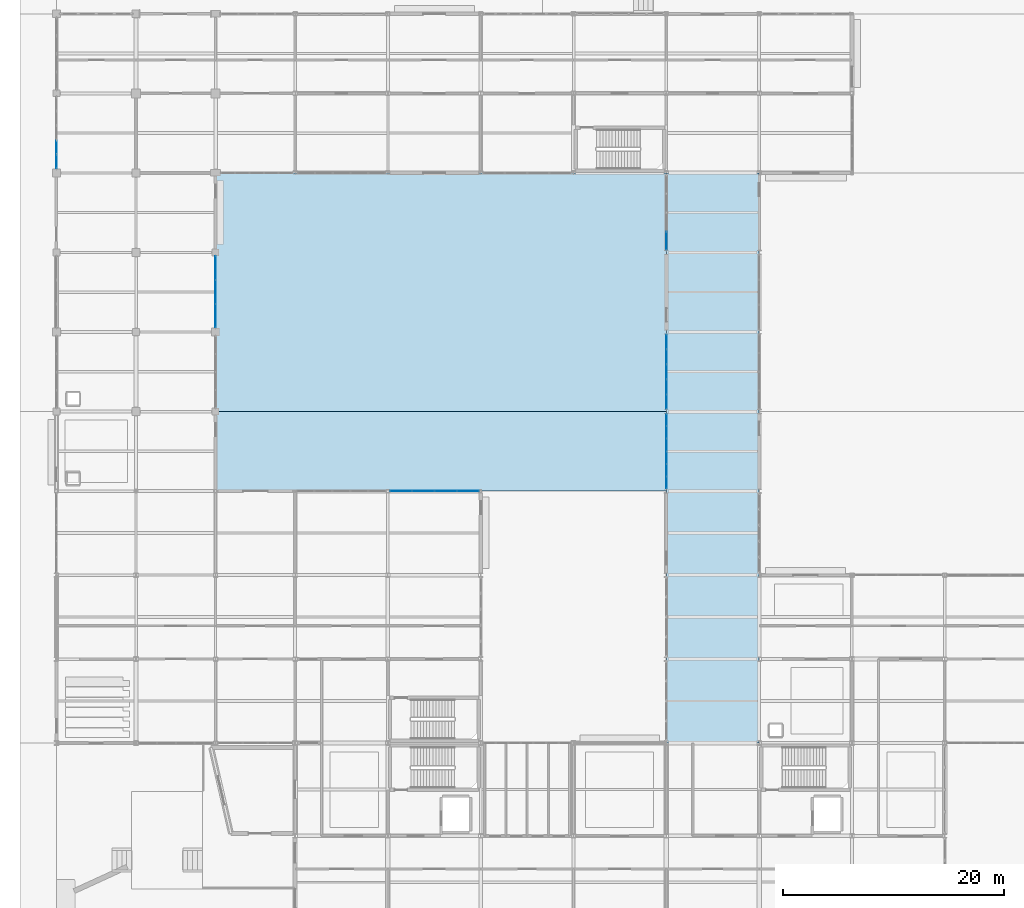
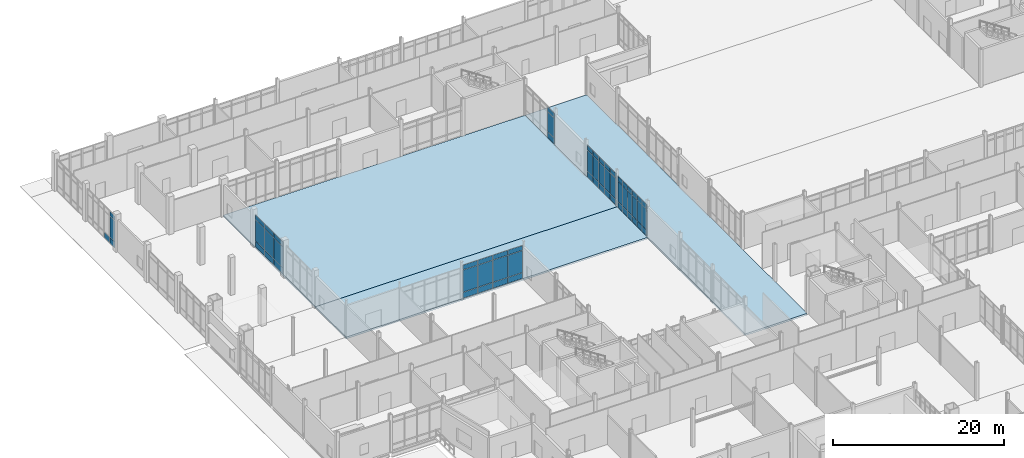
# One storey, part 147 of 229: 61 plates, 3 slabs, 6 elements without a shape of their own.
"""IFC4 building model written with IfcOpenShell, lengths in metres."""

from ifc_helpers import new_model, si_unit, direction, frame, origin, origin_2d, place, context, subcontext, project, spatial, polyline, rectangle, outline, extrude, material, layer, layer_set, type_object, element, aggregate, save


model = new_model("IFC4")

# Units and contexts
model_context = context("Model", 3, precision=1e-05, world=origin(), true_north=direction((0.0, 1.0)))
body_context = subcontext(model_context, "Body", "Model", "MODEL_VIEW")
ifc_project = project(units=[si_unit("LENGTHUNIT", "METRE"), si_unit("AREAUNIT", "SQUARE_METRE"), si_unit("VOLUMEUNIT", "CUBIC_METRE"), si_unit("PLANEANGLEUNIT", "RADIAN"), si_unit("MASSUNIT", "GRAM", prefix="KILO")], contexts=[model_context])

# Site, building, storey
site_placement = place(None, origin())
site = spatial("IfcSite", under=ifc_project, at=site_placement, CompositionType="ELEMENT")
building_placement = place(site_placement, origin())
building = spatial("IfcBuilding", under=site, at=building_placement, Name="Calvrana Isthmian Art Gallery", CompositionType="ELEMENT")
storey_placement = place(building_placement, origin())
storey = spatial("IfcBuildingStorey", under=building, at=storey_placement, Name="L00", CompositionType="ELEMENT", Elevation=0.0)

# Curtain wall, plates
ifc_material_1 = material(Name="Anodized bronze aluminium 6063-T6", Category="aluminium")
ifc_layer_1 = layer(ifc_material_1, 0.179931640625, Name="Anodized bronze aluminium 6063-T6")
ifc_layer_set_1 = layer_set([ifc_layer_1], Name="Anodized bronze aluminium 6063-T6")
curtain_wall_type_1 = type_object("IfcCurtainWallType", Name="CW-STICK-066X47", PredefinedType="NOTDEFINED", material=ifc_layer_set_1)
curtain_wall_1_placement = place(storey_placement, origin())
curtain_wall_1 = element("IfcCurtainWall", 1, at=curtain_wall_1_placement, inside=storey, type_object=curtain_wall_type_1, Name="Curtain wall CW-055", PredefinedType="NOTDEFINED")
ifc_material_2 = material(Name="Polychrome glazed terracotta", Category="masonry")
ifc_layer_2 = layer(ifc_material_2, 0.033935546875, Name="Polychrome glazed terracotta")
ifc_layer_set_2 = layer_set([ifc_layer_2], Name="Polychrome glazed terracotta")
plate_type_1 = type_object("IfcPlateType", Name="CWP-SPANDREL-34", PredefinedType="CURTAIN_PANEL", material=ifc_layer_set_2)
plate_1_placement = place(storey_placement, frame((14.39990234375, 89.793212890625, 0.06005859375), z_axis=(0.0, 0.0, 1.0), x_axis=(0.0, -1.0, 0.0)))
plate_1 = element("IfcPlate", 2, at=plate_1_placement, type_object=plate_type_1, Name="CW-055 panel 1.1", PredefinedType="CURTAIN_PANEL", context=body_context, shape_type="SweptSolid", body=[
    extrude(rectangle(XDim=2.09326171875, YDim=0.033935546875, at=origin_2d()), origin(), (0.0, 0.0, 1.0), 0.81005859375),
])
plate_2_placement = place(storey_placement, frame((14.39990234375, 89.793212890625, 0.93017578125), z_axis=(0.0, 0.0, 1.0), x_axis=(0.0, -1.0, 0.0)))
plate_2 = element("IfcPlate", 3, at=plate_2_placement, type_object=plate_type_1, Name="CW-055 panel 1.2", PredefinedType="CURTAIN_PANEL", context=body_context, shape_type="SweptSolid", body=[
    extrude(rectangle(XDim=2.09326171875, YDim=0.033935546875, at=origin_2d()), origin(), (0.0, 0.0, 1.0), 2.968017578125),
])
plate_3_placement = place(storey_placement, frame((14.39990234375, 89.793212890625, 3.9580078125), z_axis=(0.0, 0.0, 1.0), x_axis=(0.0, -1.0, 0.0)))
plate_3 = element("IfcPlate", 4, at=plate_3_placement, type_object=plate_type_1, Name="CW-055 panel 1.3", PredefinedType="CURTAIN_PANEL", context=body_context, shape_type="SweptSolid", body=[
    extrude(rectangle(XDim=2.09326171875, YDim=0.033935546875, at=origin_2d()), origin(), (0.0, 0.0, 1.0), 0.659912109375),
])
plate_4_placement = place(storey_placement, frame((14.39990234375, 87.625, 0.06005859375), z_axis=(0.0, 0.0, 1.0), x_axis=(0.0, -1.0, 0.0)))
plate_4 = element("IfcPlate", 5, at=plate_4_placement, type_object=plate_type_1, Name="CW-055 panel 2.1", PredefinedType="CURTAIN_PANEL", context=body_context, shape_type="SweptSolid", body=[
    extrude(rectangle(XDim=2.123291015625, YDim=0.033935546875, at=origin_2d()), origin(), (0.0, 0.0, 1.0), 0.81005859375),
])
plate_5_placement = place(storey_placement, frame((14.39990234375, 87.625, 0.93017578125), z_axis=(0.0, 0.0, 1.0), x_axis=(0.0, -1.0, 0.0)))
plate_5 = element("IfcPlate", 6, at=plate_5_placement, type_object=plate_type_1, Name="CW-055 panel 2.2", PredefinedType="CURTAIN_PANEL", context=body_context, shape_type="SweptSolid", body=[
    extrude(rectangle(XDim=2.123291015625, YDim=0.033935546875, at=origin_2d()), origin(), (0.0, 0.0, 1.0), 2.968017578125),
])
plate_6_placement = place(storey_placement, frame((14.39990234375, 87.625, 3.9580078125), z_axis=(0.0, 0.0, 1.0), x_axis=(0.0, -1.0, 0.0)))
plate_6 = element("IfcPlate", 7, at=plate_6_placement, type_object=plate_type_1, Name="CW-055 panel 2.3", PredefinedType="CURTAIN_PANEL", context=body_context, shape_type="SweptSolid", body=[
    extrude(rectangle(XDim=2.123291015625, YDim=0.033935546875, at=origin_2d()), origin(), (0.0, 0.0, 1.0), 0.659912109375),
])
plate_7_placement = place(storey_placement, frame((14.39990234375, 85.456787109375, 0.06005859375), z_axis=(0.0, 0.0, 1.0), x_axis=(0.0, -1.0, 0.0)))
plate_7 = element("IfcPlate", 8, at=plate_7_placement, type_object=plate_type_1, Name="CW-055 panel 3.1", PredefinedType="CURTAIN_PANEL", context=body_context, shape_type="SweptSolid", body=[
    extrude(rectangle(XDim=2.09326171875, YDim=0.033935546875, at=origin_2d()), origin(), (0.0, 0.0, 1.0), 0.81005859375),
])
plate_8_placement = place(storey_placement, frame((14.39990234375, 85.456787109375, 0.93017578125), z_axis=(0.0, 0.0, 1.0), x_axis=(0.0, -1.0, 0.0)))
plate_8 = element("IfcPlate", 9, at=plate_8_placement, type_object=plate_type_1, Name="CW-055 panel 3.2", PredefinedType="CURTAIN_PANEL", context=body_context, shape_type="SweptSolid", body=[
    extrude(rectangle(XDim=2.09326171875, YDim=0.033935546875, at=origin_2d()), origin(), (0.0, 0.0, 1.0), 2.968017578125),
])
plate_9_placement = place(storey_placement, frame((14.39990234375, 85.456787109375, 3.9580078125), z_axis=(0.0, 0.0, 1.0), x_axis=(0.0, -1.0, 0.0)))
plate_9 = element("IfcPlate", 10, at=plate_9_placement, type_object=plate_type_1, Name="CW-055 panel 3.3", PredefinedType="CURTAIN_PANEL", context=body_context, shape_type="SweptSolid", body=[
    extrude(rectangle(XDim=2.09326171875, YDim=0.033935546875, at=origin_2d()), origin(), (0.0, 0.0, 1.0), 0.659912109375),
])
aggregate(curtain_wall_1, [plate_1, plate_2, plate_3, plate_4, plate_5, plate_6, plate_7, plate_8, plate_9])

ifc_layer_3 = layer(ifc_material_1, 0.179931640625, Name="Anodized bronze aluminium 6063-T6")
ifc_layer_set_3 = layer_set([ifc_layer_3], Name="Anodized bronze aluminium 6063-T6")
curtain_wall_type_2 = type_object("IfcCurtainWallType", Name="CW-UNIT-068X46", PredefinedType="USERDEFINED", material=ifc_layer_set_3)
curtain_wall_2_placement = place(storey_placement, origin())
curtain_wall_2 = element("IfcCurtainWall", 11, at=curtain_wall_2_placement, inside=storey, type_object=curtain_wall_type_2, Name="Curtain wall CW-060", ObjectType="UNITISED CURTAIN WALL", PredefinedType="USERDEFINED")
plate_10_placement = place(storey_placement, frame((55.199951171875, 70.37109375, 0.06005859375), z_axis=(0.0, 0.0, 1.0), x_axis=(0.0, 1.0, 0.0)))
plate_10 = element("IfcPlate", 12, at=plate_10_placement, type_object=plate_type_1, Name="CW-060 panel 1.1", PredefinedType="CURTAIN_PANEL", context=body_context, shape_type="SweptSolid", body=[
    extrude(rectangle(XDim=1.04931640625, YDim=0.033935546875, at=origin_2d()), origin(), (0.0, 0.0, 1.0), 0.81005859375),
])
plate_11_placement = place(storey_placement, frame((55.199951171875, 70.37109375, 0.929931640625), z_axis=(0.0, 0.0, 1.0), x_axis=(0.0, 1.0, 0.0)))
plate_11 = element("IfcPlate", 13, at=plate_11_placement, type_object=plate_type_1, Name="CW-060 panel 1.2", PredefinedType="CURTAIN_PANEL", context=body_context, shape_type="SweptSolid", body=[
    extrude(rectangle(XDim=1.04931640625, YDim=0.033935546875, at=origin_2d()), origin(), (0.0, 0.0, 1.0), 2.89697265625),
])
plate_12_placement = place(storey_placement, frame((55.199951171875, 70.37109375, 3.88720703125), z_axis=(0.0, 0.0, 1.0), x_axis=(0.0, 1.0, 0.0)))
plate_12 = element("IfcPlate", 14, at=plate_12_placement, type_object=plate_type_1, Name="CW-060 panel 1.3", PredefinedType="CURTAIN_PANEL", context=body_context, shape_type="SweptSolid", body=[
    extrude(rectangle(XDim=1.04931640625, YDim=0.033935546875, at=origin_2d()), origin(), (0.0, 0.0, 1.0), 0.659912109375),
])
plate_13_placement = place(storey_placement, frame((55.199951171875, 71.495361328125, 0.06005859375), z_axis=(0.0, 0.0, 1.0), x_axis=(0.0, 1.0, 0.0)))
plate_13 = element("IfcPlate", 15, at=plate_13_placement, type_object=plate_type_1, Name="CW-060 panel 2.1", PredefinedType="CURTAIN_PANEL", context=body_context, shape_type="SweptSolid", body=[
    extrude(rectangle(XDim=1.079345703125, YDim=0.033935546875, at=origin_2d()), origin(), (0.0, 0.0, 1.0), 0.81005859375),
])
plate_14_placement = place(storey_placement, frame((55.199951171875, 71.495361328125, 0.929931640625), z_axis=(0.0, 0.0, 1.0), x_axis=(0.0, 1.0, 0.0)))
plate_14 = element("IfcPlate", 16, at=plate_14_placement, type_object=plate_type_1, Name="CW-060 panel 2.2", PredefinedType="CURTAIN_PANEL", context=body_context, shape_type="SweptSolid", body=[
    extrude(rectangle(XDim=1.079345703125, YDim=0.033935546875, at=origin_2d()), origin(), (0.0, 0.0, 1.0), 2.89697265625),
])
plate_15_placement = place(storey_placement, frame((55.199951171875, 71.495361328125, 3.88720703125), z_axis=(0.0, 0.0, 1.0), x_axis=(0.0, 1.0, 0.0)))
plate_15 = element("IfcPlate", 17, at=plate_15_placement, type_object=plate_type_1, Name="CW-060 panel 2.3", PredefinedType="CURTAIN_PANEL", context=body_context, shape_type="SweptSolid", body=[
    extrude(rectangle(XDim=1.079345703125, YDim=0.033935546875, at=origin_2d()), origin(), (0.0, 0.0, 1.0), 0.659912109375),
])
plate_16_placement = place(storey_placement, frame((55.199951171875, 72.634521484375, 0.06005859375), z_axis=(0.0, 0.0, 1.0), x_axis=(0.0, 1.0, 0.0)))
plate_16 = element("IfcPlate", 18, at=plate_16_placement, type_object=plate_type_1, Name="CW-060 panel 3.1", PredefinedType="CURTAIN_PANEL", context=body_context, shape_type="SweptSolid", body=[
    extrude(rectangle(XDim=1.079345703125, YDim=0.033935546875, at=origin_2d()), origin(), (0.0, 0.0, 1.0), 0.81005859375),
])
plate_17_placement = place(storey_placement, frame((55.199951171875, 72.634521484375, 0.929931640625), z_axis=(0.0, 0.0, 1.0), x_axis=(0.0, 1.0, 0.0)))
plate_17 = element("IfcPlate", 19, at=plate_17_placement, type_object=plate_type_1, Name="CW-060 panel 3.2", PredefinedType="CURTAIN_PANEL", context=body_context, shape_type="SweptSolid", body=[
    extrude(rectangle(XDim=1.079345703125, YDim=0.033935546875, at=origin_2d()), origin(), (0.0, 0.0, 1.0), 2.89697265625),
])
plate_18_placement = place(storey_placement, frame((55.199951171875, 72.634521484375, 3.88720703125), z_axis=(0.0, 0.0, 1.0), x_axis=(0.0, 1.0, 0.0)))
plate_18 = element("IfcPlate", 20, at=plate_18_placement, type_object=plate_type_1, Name="CW-060 panel 3.3", PredefinedType="CURTAIN_PANEL", context=body_context, shape_type="SweptSolid", body=[
    extrude(rectangle(XDim=1.079345703125, YDim=0.033935546875, at=origin_2d()), origin(), (0.0, 0.0, 1.0), 0.659912109375),
])
plate_19_placement = place(storey_placement, frame((55.199951171875, 73.77392578125, 0.06005859375), z_axis=(0.0, 0.0, 1.0), x_axis=(0.0, 1.0, 0.0)))
plate_19 = element("IfcPlate", 21, at=plate_19_placement, type_object=plate_type_1, Name="CW-060 panel 4.1", PredefinedType="CURTAIN_PANEL", context=body_context, shape_type="SweptSolid", body=[
    extrude(rectangle(XDim=1.079345703125, YDim=0.033935546875, at=origin_2d()), origin(), (0.0, 0.0, 1.0), 0.81005859375),
])
plate_20_placement = place(storey_placement, frame((55.199951171875, 73.77392578125, 0.929931640625), z_axis=(0.0, 0.0, 1.0), x_axis=(0.0, 1.0, 0.0)))
plate_20 = element("IfcPlate", 22, at=plate_20_placement, type_object=plate_type_1, Name="CW-060 panel 4.2", PredefinedType="CURTAIN_PANEL", context=body_context, shape_type="SweptSolid", body=[
    extrude(rectangle(XDim=1.079345703125, YDim=0.033935546875, at=origin_2d()), origin(), (0.0, 0.0, 1.0), 2.89697265625),
])
plate_21_placement = place(storey_placement, frame((55.199951171875, 73.77392578125, 3.88720703125), z_axis=(0.0, 0.0, 1.0), x_axis=(0.0, 1.0, 0.0)))
plate_21 = element("IfcPlate", 23, at=plate_21_placement, type_object=plate_type_1, Name="CW-060 panel 4.3", PredefinedType="CURTAIN_PANEL", context=body_context, shape_type="SweptSolid", body=[
    extrude(rectangle(XDim=1.079345703125, YDim=0.033935546875, at=origin_2d()), origin(), (0.0, 0.0, 1.0), 0.659912109375),
])
plate_22_placement = place(storey_placement, frame((55.199951171875, 74.9130859375, 0.06005859375), z_axis=(0.0, 0.0, 1.0), x_axis=(0.0, 1.0, 0.0)))
plate_22 = element("IfcPlate", 24, at=plate_22_placement, type_object=plate_type_1, Name="CW-060 panel 5.1", PredefinedType="CURTAIN_PANEL", context=body_context, shape_type="SweptSolid", body=[
    extrude(rectangle(XDim=1.079345703125, YDim=0.033935546875, at=origin_2d()), origin(), (0.0, 0.0, 1.0), 0.81005859375),
])
plate_23_placement = place(storey_placement, frame((55.199951171875, 74.9130859375, 0.929931640625), z_axis=(0.0, 0.0, 1.0), x_axis=(0.0, 1.0, 0.0)))
plate_23 = element("IfcPlate", 25, at=plate_23_placement, type_object=plate_type_1, Name="CW-060 panel 5.2", PredefinedType="CURTAIN_PANEL", context=body_context, shape_type="SweptSolid", body=[
    extrude(rectangle(XDim=1.079345703125, YDim=0.033935546875, at=origin_2d()), origin(), (0.0, 0.0, 1.0), 2.89697265625),
])
plate_24_placement = place(storey_placement, frame((55.199951171875, 74.9130859375, 3.88720703125), z_axis=(0.0, 0.0, 1.0), x_axis=(0.0, 1.0, 0.0)))
plate_24 = element("IfcPlate", 26, at=plate_24_placement, type_object=plate_type_1, Name="CW-060 panel 5.3", PredefinedType="CURTAIN_PANEL", context=body_context, shape_type="SweptSolid", body=[
    extrude(rectangle(XDim=1.079345703125, YDim=0.033935546875, at=origin_2d()), origin(), (0.0, 0.0, 1.0), 0.659912109375),
])
plate_25_placement = place(storey_placement, frame((55.199951171875, 76.037353515625, 0.06005859375), z_axis=(0.0, 0.0, 1.0), x_axis=(0.0, 1.0, 0.0)))
plate_25 = element("IfcPlate", 27, at=plate_25_placement, type_object=plate_type_1, Name="CW-060 panel 6.1", PredefinedType="CURTAIN_PANEL", context=body_context, shape_type="SweptSolid", body=[
    extrude(rectangle(XDim=1.04931640625, YDim=0.033935546875, at=origin_2d()), origin(), (0.0, 0.0, 1.0), 0.81005859375),
])
plate_26_placement = place(storey_placement, frame((55.199951171875, 76.037353515625, 0.929931640625), z_axis=(0.0, 0.0, 1.0), x_axis=(0.0, 1.0, 0.0)))
plate_26 = element("IfcPlate", 28, at=plate_26_placement, type_object=plate_type_1, Name="CW-060 panel 6.2", PredefinedType="CURTAIN_PANEL", context=body_context, shape_type="SweptSolid", body=[
    extrude(rectangle(XDim=1.04931640625, YDim=0.033935546875, at=origin_2d()), origin(), (0.0, 0.0, 1.0), 2.89697265625),
])
plate_27_placement = place(storey_placement, frame((55.199951171875, 76.037353515625, 3.88720703125), z_axis=(0.0, 0.0, 1.0), x_axis=(0.0, 1.0, 0.0)))
plate_27 = element("IfcPlate", 29, at=plate_27_placement, type_object=plate_type_1, Name="CW-060 panel 6.3", PredefinedType="CURTAIN_PANEL", context=body_context, shape_type="SweptSolid", body=[
    extrude(rectangle(XDim=1.04931640625, YDim=0.033935546875, at=origin_2d()), origin(), (0.0, 0.0, 1.0), 0.659912109375),
])
aggregate(curtain_wall_2, [plate_10, plate_11, plate_12, plate_13, plate_14, plate_15, plate_16, plate_17, plate_18, plate_19, plate_20, plate_21, plate_22, plate_23, plate_24, plate_25, plate_26, plate_27])

ifc_layer_4 = layer(ifc_material_1, 0.179931640625, Name="Anodized bronze aluminium 6063-T6")
ifc_layer_set_4 = layer_set([ifc_layer_4], Name="Anodized bronze aluminium 6063-T6")
curtain_wall_type_3 = type_object("IfcCurtainWallType", Name="CW-STICK-081X48", PredefinedType="NOTDEFINED", material=ifc_layer_set_4)
curtain_wall_3_placement = place(storey_placement, origin())
curtain_wall_3 = element("IfcCurtainWall", 30, at=curtain_wall_3_placement, inside=storey, type_object=curtain_wall_type_3, Name="Curtain wall CW-031", PredefinedType="NOTDEFINED")
ifc_material_3 = material(Name="Low-E laminated solar glass", Category="glass")
ifc_layer_5 = layer(ifc_material_3, 0.028076171875, Name="Low-E laminated solar glass")
ifc_layer_set_5 = layer_set([ifc_layer_5], Name="Low-E laminated solar glass")
plate_type_2 = type_object("IfcPlateType", Name="CWP-VISION-28", PredefinedType="CURTAIN_PANEL", material=ifc_layer_set_5)
plate_28_placement = place(storey_placement, frame((31.185546875, 69.60009765625, 0.06005859375), z_axis=(0.0, 0.0, 1.0), x_axis=(1.0, 0.0, 0.0)))
plate_28 = element("IfcPlate", 31, at=plate_28_placement, type_object=plate_type_2, Name="CW-031 panel 1.1", PredefinedType="CURTAIN_PANEL", context=body_context, shape_type="SweptSolid", body=[
    extrude(rectangle(XDim=1.946533203125, YDim=0.028076171875, at=origin_2d()), origin(), (0.0, 0.0, 1.0), 0.81005859375),
])
plate_29_placement = place(storey_placement, frame((31.185546875, 69.60009765625, 0.93017578125), z_axis=(0.0, 0.0, 1.0), x_axis=(1.0, 0.0, 0.0)))
plate_29 = element("IfcPlate", 32, at=plate_29_placement, type_object=plate_type_2, Name="CW-031 panel 1.2", PredefinedType="CURTAIN_PANEL", context=body_context, shape_type="SweptSolid", body=[
    extrude(rectangle(XDim=1.946533203125, YDim=0.028076171875, at=origin_2d()), origin(), (0.0, 0.0, 1.0), 3.125244140625),
])
plate_30_placement = place(storey_placement, frame((31.185546875, 69.60009765625, 4.115234375), z_axis=(0.0, 0.0, 1.0), x_axis=(1.0, 0.0, 0.0)))
plate_30 = element("IfcPlate", 33, at=plate_30_placement, type_object=plate_type_2, Name="CW-031 panel 1.3", PredefinedType="CURTAIN_PANEL", context=body_context, shape_type="SweptSolid", body=[
    extrude(rectangle(XDim=1.946533203125, YDim=0.028076171875, at=origin_2d()), origin(), (0.0, 0.0, 1.0), 0.659912109375),
])
plate_31_placement = place(storey_placement, frame((33.20703125, 69.60009765625, 0.06005859375), z_axis=(0.0, 0.0, 1.0), x_axis=(1.0, 0.0, 0.0)))
plate_31 = element("IfcPlate", 34, at=plate_31_placement, type_object=plate_type_2, Name="CW-031 panel 2.1", PredefinedType="CURTAIN_PANEL", context=body_context, shape_type="SweptSolid", body=[
    extrude(rectangle(XDim=1.9765625, YDim=0.028076171875, at=origin_2d()), origin(), (0.0, 0.0, 1.0), 0.81005859375),
])
plate_32_placement = place(storey_placement, frame((33.20703125, 69.60009765625, 0.93017578125), z_axis=(0.0, 0.0, 1.0), x_axis=(1.0, 0.0, 0.0)))
plate_32 = element("IfcPlate", 35, at=plate_32_placement, type_object=plate_type_2, Name="CW-031 panel 2.2", PredefinedType="CURTAIN_PANEL", context=body_context, shape_type="SweptSolid", body=[
    extrude(rectangle(XDim=1.9765625, YDim=0.028076171875, at=origin_2d()), origin(), (0.0, 0.0, 1.0), 3.125244140625),
])
plate_33_placement = place(storey_placement, frame((33.20703125, 69.60009765625, 4.115234375), z_axis=(0.0, 0.0, 1.0), x_axis=(1.0, 0.0, 0.0)))
plate_33 = element("IfcPlate", 36, at=plate_33_placement, type_object=plate_type_2, Name="CW-031 panel 2.3", PredefinedType="CURTAIN_PANEL", context=body_context, shape_type="SweptSolid", body=[
    extrude(rectangle(XDim=1.9765625, YDim=0.028076171875, at=origin_2d()), origin(), (0.0, 0.0, 1.0), 0.659912109375),
])
plate_34_placement = place(storey_placement, frame((35.24365234375, 69.60009765625, 0.06005859375), z_axis=(0.0, 0.0, 1.0), x_axis=(1.0, 0.0, 0.0)))
plate_34 = element("IfcPlate", 37, at=plate_34_placement, type_object=plate_type_2, Name="CW-031 panel 3.1", PredefinedType="CURTAIN_PANEL", context=body_context, shape_type="SweptSolid", body=[
    extrude(rectangle(XDim=1.9765625, YDim=0.028076171875, at=origin_2d()), origin(), (0.0, 0.0, 1.0), 0.81005859375),
])
plate_35_placement = place(storey_placement, frame((35.24365234375, 69.60009765625, 0.93017578125), z_axis=(0.0, 0.0, 1.0), x_axis=(1.0, 0.0, 0.0)))
plate_35 = element("IfcPlate", 38, at=plate_35_placement, type_object=plate_type_2, Name="CW-031 panel 3.2", PredefinedType="CURTAIN_PANEL", context=body_context, shape_type="SweptSolid", body=[
    extrude(rectangle(XDim=1.9765625, YDim=0.028076171875, at=origin_2d()), origin(), (0.0, 0.0, 1.0), 3.125244140625),
])
plate_36_placement = place(storey_placement, frame((35.24365234375, 69.60009765625, 4.115234375), z_axis=(0.0, 0.0, 1.0), x_axis=(1.0, 0.0, 0.0)))
plate_36 = element("IfcPlate", 39, at=plate_36_placement, type_object=plate_type_2, Name="CW-031 panel 3.3", PredefinedType="CURTAIN_PANEL", context=body_context, shape_type="SweptSolid", body=[
    extrude(rectangle(XDim=1.9765625, YDim=0.028076171875, at=origin_2d()), origin(), (0.0, 0.0, 1.0), 0.659912109375),
])
plate_37_placement = place(storey_placement, frame((37.26513671875, 69.60009765625, 0.06005859375), z_axis=(0.0, 0.0, 1.0), x_axis=(1.0, 0.0, 0.0)))
plate_37 = element("IfcPlate", 40, at=plate_37_placement, type_object=plate_type_2, Name="CW-031 panel 4.1", PredefinedType="CURTAIN_PANEL", context=body_context, shape_type="SweptSolid", body=[
    extrude(rectangle(XDim=1.946533203125, YDim=0.028076171875, at=origin_2d()), origin(), (0.0, 0.0, 1.0), 0.81005859375),
])
plate_38_placement = place(storey_placement, frame((37.26513671875, 69.60009765625, 0.93017578125), z_axis=(0.0, 0.0, 1.0), x_axis=(1.0, 0.0, 0.0)))
plate_38 = element("IfcPlate", 41, at=plate_38_placement, type_object=plate_type_2, Name="CW-031 panel 4.2", PredefinedType="CURTAIN_PANEL", context=body_context, shape_type="SweptSolid", body=[
    extrude(rectangle(XDim=1.946533203125, YDim=0.028076171875, at=origin_2d()), origin(), (0.0, 0.0, 1.0), 3.125244140625),
])
plate_39_placement = place(storey_placement, frame((37.26513671875, 69.60009765625, 4.115234375), z_axis=(0.0, 0.0, 1.0), x_axis=(1.0, 0.0, 0.0)))
plate_39 = element("IfcPlate", 42, at=plate_39_placement, type_object=plate_type_2, Name="CW-031 panel 4.3", PredefinedType="CURTAIN_PANEL", context=body_context, shape_type="SweptSolid", body=[
    extrude(rectangle(XDim=1.946533203125, YDim=0.028076171875, at=origin_2d()), origin(), (0.0, 0.0, 1.0), 0.659912109375),
])
aggregate(curtain_wall_3, [plate_28, plate_29, plate_30, plate_31, plate_32, plate_33, plate_34, plate_35, plate_36, plate_37, plate_38, plate_39])

ifc_layer_6 = layer(ifc_material_1, 0.179931640625, Name="Anodized bronze aluminium 6063-T6")
ifc_layer_set_6 = layer_set([ifc_layer_6], Name="Anodized bronze aluminium 6063-T6")
curtain_wall_type_4 = type_object("IfcCurtainWallType", Name="CW-UNIT-065X47", PredefinedType="USERDEFINED", material=ifc_layer_set_6)
curtain_wall_4_placement = place(storey_placement, origin())
curtain_wall_4 = element("IfcCurtainWall", 43, at=curtain_wall_4_placement, inside=storey, type_object=curtain_wall_type_4, Name="Curtain wall CW-052", ObjectType="UNITISED CURTAIN WALL", PredefinedType="USERDEFINED")
plate_40_placement = place(storey_placement, frame((0.0, 99.423828125, 0.06494140625), z_axis=(0.0, 0.0, 1.0), x_axis=(0.0, 1.0, 0.0)))
plate_40 = element("IfcPlate", 44, at=plate_40_placement, type_object=plate_type_2, Name="CW-052 panel 1.1", PredefinedType="CURTAIN_PANEL", context=body_context, shape_type="SweptSolid", body=[
    extrude(rectangle(XDim=1.197509765625, YDim=0.028076171875, at=origin_2d()), origin(), (0.0, 0.0, 1.0), 0.802490234375),
])
plate_41_placement = place(storey_placement, frame((0.0, 99.423828125, 0.9326171875), z_axis=(0.0, 0.0, 1.0), x_axis=(0.0, 1.0, 0.0)))
plate_41 = element("IfcPlate", 45, at=plate_41_placement, type_object=plate_type_2, Name="CW-052 panel 1.2", PredefinedType="CURTAIN_PANEL", context=body_context, shape_type="SweptSolid", body=[
    extrude(rectangle(XDim=1.197509765625, YDim=0.028076171875, at=origin_2d()), origin(), (0.0, 0.0, 1.0), 2.962890625),
])
plate_42_placement = place(storey_placement, frame((0.0, 99.423828125, 3.96044921875), z_axis=(0.0, 0.0, 1.0), x_axis=(0.0, 1.0, 0.0)))
plate_42 = element("IfcPlate", 46, at=plate_42_placement, type_object=plate_type_2, Name="CW-052 panel 1.3", PredefinedType="CURTAIN_PANEL", context=body_context, shape_type="SweptSolid", body=[
    extrude(rectangle(XDim=1.197509765625, YDim=0.028076171875, at=origin_2d()), origin(), (0.0, 0.0, 1.0), 0.652587890625),
])
plate_43_placement = place(storey_placement, frame((0.0, 100.715087890625, 0.06494140625), z_axis=(0.0, 0.0, 1.0), x_axis=(0.0, 1.0, 0.0)))
plate_43 = element("IfcPlate", 47, at=plate_43_placement, type_object=plate_type_2, Name="CW-052 panel 2.1", PredefinedType="CURTAIN_PANEL", context=body_context, shape_type="SweptSolid", body=[
    extrude(rectangle(XDim=1.235107421875, YDim=0.028076171875, at=origin_2d()), origin(), (0.0, 0.0, 1.0), 0.802490234375),
])
aggregate(curtain_wall_4, [plate_40, plate_41, plate_42, plate_43])

ifc_layer_7 = layer(ifc_material_1, 0.179931640625, Name="Anodized bronze aluminium 6063-T6")
ifc_layer_set_7 = layer_set([ifc_layer_7], Name="Anodized bronze aluminium 6063-T6")
curtain_wall_type_5 = type_object("IfcCurtainWallType", Name="CW-STICK-068X47", PredefinedType="NOTDEFINED", material=ifc_layer_set_7)
curtain_wall_5_placement = place(storey_placement, origin())
curtain_wall_5 = element("IfcCurtainWall", 48, at=curtain_wall_5_placement, inside=storey, type_object=curtain_wall_type_5, Name="Curtain wall CW-061", PredefinedType="NOTDEFINED")
plate_44_placement = place(storey_placement, frame((55.199951171875, 77.677001953125, 0.06005859375), z_axis=(0.0, 0.0, 1.0), x_axis=(0.0, 1.0, 0.0)))
plate_44 = element("IfcPlate", 49, at=plate_44_placement, type_object=plate_type_2, Name="CW-061 panel 1.1", PredefinedType="CURTAIN_PANEL", context=body_context, shape_type="SweptSolid", body=[
    extrude(rectangle(XDim=1.278076171875, YDim=0.028076171875, at=origin_2d()), origin(), (0.0, 0.0, 1.0), 0.81005859375),
])
plate_45_placement = place(storey_placement, frame((55.199951171875, 77.677001953125, 0.93017578125), z_axis=(0.0, 0.0, 1.0), x_axis=(0.0, 1.0, 0.0)))
plate_45 = element("IfcPlate", 50, at=plate_45_placement, type_object=plate_type_2, Name="CW-061 panel 1.2", PredefinedType="CURTAIN_PANEL", context=body_context, shape_type="SweptSolid", body=[
    extrude(rectangle(XDim=1.278076171875, YDim=0.028076171875, at=origin_2d()), origin(), (0.0, 0.0, 1.0), 2.968017578125),
])
plate_46_placement = place(storey_placement, frame((55.199951171875, 77.677001953125, 3.9580078125), z_axis=(0.0, 0.0, 1.0), x_axis=(0.0, 1.0, 0.0)))
plate_46 = element("IfcPlate", 51, at=plate_46_placement, type_object=plate_type_2, Name="CW-061 panel 1.3", PredefinedType="CURTAIN_PANEL", context=body_context, shape_type="SweptSolid", body=[
    extrude(rectangle(XDim=1.278076171875, YDim=0.028076171875, at=origin_2d()), origin(), (0.0, 0.0, 1.0), 0.659912109375),
])
plate_47_placement = place(storey_placement, frame((55.199951171875, 79.030029296875, 0.06005859375), z_axis=(0.0, 0.0, 1.0), x_axis=(0.0, 1.0, 0.0)))
plate_47 = element("IfcPlate", 52, at=plate_47_placement, type_object=plate_type_2, Name="CW-061 panel 2.1", PredefinedType="CURTAIN_PANEL", context=body_context, shape_type="SweptSolid", body=[
    extrude(rectangle(XDim=1.30810546875, YDim=0.028076171875, at=origin_2d()), origin(), (0.0, 0.0, 1.0), 0.81005859375),
])
plate_48_placement = place(storey_placement, frame((55.199951171875, 79.030029296875, 0.93017578125), z_axis=(0.0, 0.0, 1.0), x_axis=(0.0, 1.0, 0.0)))
plate_48 = element("IfcPlate", 53, at=plate_48_placement, type_object=plate_type_2, Name="CW-061 panel 2.2", PredefinedType="CURTAIN_PANEL", context=body_context, shape_type="SweptSolid", body=[
    extrude(rectangle(XDim=1.30810546875, YDim=0.028076171875, at=origin_2d()), origin(), (0.0, 0.0, 1.0), 2.968017578125),
])
plate_49_placement = place(storey_placement, frame((55.199951171875, 79.030029296875, 3.9580078125), z_axis=(0.0, 0.0, 1.0), x_axis=(0.0, 1.0, 0.0)))
plate_49 = element("IfcPlate", 54, at=plate_49_placement, type_object=plate_type_2, Name="CW-061 panel 2.3", PredefinedType="CURTAIN_PANEL", context=body_context, shape_type="SweptSolid", body=[
    extrude(rectangle(XDim=1.30810546875, YDim=0.028076171875, at=origin_2d()), origin(), (0.0, 0.0, 1.0), 0.659912109375),
])
plate_50_placement = place(storey_placement, frame((55.199951171875, 80.398193359375, 0.06005859375), z_axis=(0.0, 0.0, 1.0), x_axis=(0.0, 1.0, 0.0)))
plate_50 = element("IfcPlate", 55, at=plate_50_placement, type_object=plate_type_2, Name="CW-061 panel 3.1", PredefinedType="CURTAIN_PANEL", context=body_context, shape_type="SweptSolid", body=[
    extrude(rectangle(XDim=1.30810546875, YDim=0.028076171875, at=origin_2d()), origin(), (0.0, 0.0, 1.0), 0.81005859375),
])
plate_51_placement = place(storey_placement, frame((55.199951171875, 80.398193359375, 0.93017578125), z_axis=(0.0, 0.0, 1.0), x_axis=(0.0, 1.0, 0.0)))
plate_51 = element("IfcPlate", 56, at=plate_51_placement, type_object=plate_type_2, Name="CW-061 panel 3.2", PredefinedType="CURTAIN_PANEL", context=body_context, shape_type="SweptSolid", body=[
    extrude(rectangle(XDim=1.30810546875, YDim=0.028076171875, at=origin_2d()), origin(), (0.0, 0.0, 1.0), 2.968017578125),
])
plate_52_placement = place(storey_placement, frame((55.199951171875, 80.398193359375, 3.9580078125), z_axis=(0.0, 0.0, 1.0), x_axis=(0.0, 1.0, 0.0)))
plate_52 = element("IfcPlate", 57, at=plate_52_placement, type_object=plate_type_2, Name="CW-061 panel 3.3", PredefinedType="CURTAIN_PANEL", context=body_context, shape_type="SweptSolid", body=[
    extrude(rectangle(XDim=1.30810546875, YDim=0.028076171875, at=origin_2d()), origin(), (0.0, 0.0, 1.0), 0.659912109375),
])
plate_53_placement = place(storey_placement, frame((55.199951171875, 81.766357421875, 0.06005859375), z_axis=(0.0, 0.0, 1.0), x_axis=(0.0, 1.0, 0.0)))
plate_53 = element("IfcPlate", 58, at=plate_53_placement, type_object=plate_type_2, Name="CW-061 panel 4.1", PredefinedType="CURTAIN_PANEL", context=body_context, shape_type="SweptSolid", body=[
    extrude(rectangle(XDim=1.30810546875, YDim=0.028076171875, at=origin_2d()), origin(), (0.0, 0.0, 1.0), 0.81005859375),
])
plate_54_placement = place(storey_placement, frame((55.199951171875, 81.766357421875, 0.93017578125), z_axis=(0.0, 0.0, 1.0), x_axis=(0.0, 1.0, 0.0)))
plate_54 = element("IfcPlate", 59, at=plate_54_placement, type_object=plate_type_2, Name="CW-061 panel 4.2", PredefinedType="CURTAIN_PANEL", context=body_context, shape_type="SweptSolid", body=[
    extrude(rectangle(XDim=1.30810546875, YDim=0.028076171875, at=origin_2d()), origin(), (0.0, 0.0, 1.0), 2.968017578125),
])
plate_55_placement = place(storey_placement, frame((55.199951171875, 81.766357421875, 3.9580078125), z_axis=(0.0, 0.0, 1.0), x_axis=(0.0, 1.0, 0.0)))
plate_55 = element("IfcPlate", 60, at=plate_55_placement, type_object=plate_type_2, Name="CW-061 panel 4.3", PredefinedType="CURTAIN_PANEL", context=body_context, shape_type="SweptSolid", body=[
    extrude(rectangle(XDim=1.30810546875, YDim=0.028076171875, at=origin_2d()), origin(), (0.0, 0.0, 1.0), 0.659912109375),
])
plate_56_placement = place(storey_placement, frame((55.199951171875, 83.119384765625, 0.06005859375), z_axis=(0.0, 0.0, 1.0), x_axis=(0.0, 1.0, 0.0)))
plate_56 = element("IfcPlate", 61, at=plate_56_placement, type_object=plate_type_2, Name="CW-061 panel 5.1", PredefinedType="CURTAIN_PANEL", context=body_context, shape_type="SweptSolid", body=[
    extrude(rectangle(XDim=1.278076171875, YDim=0.028076171875, at=origin_2d()), origin(), (0.0, 0.0, 1.0), 0.81005859375),
])
plate_57_placement = place(storey_placement, frame((55.199951171875, 83.119384765625, 0.93017578125), z_axis=(0.0, 0.0, 1.0), x_axis=(0.0, 1.0, 0.0)))
plate_57 = element("IfcPlate", 62, at=plate_57_placement, type_object=plate_type_2, Name="CW-061 panel 5.2", PredefinedType="CURTAIN_PANEL", context=body_context, shape_type="SweptSolid", body=[
    extrude(rectangle(XDim=1.278076171875, YDim=0.028076171875, at=origin_2d()), origin(), (0.0, 0.0, 1.0), 2.968017578125),
])
plate_58_placement = place(storey_placement, frame((55.199951171875, 83.119384765625, 3.9580078125), z_axis=(0.0, 0.0, 1.0), x_axis=(0.0, 1.0, 0.0)))
plate_58 = element("IfcPlate", 63, at=plate_58_placement, type_object=plate_type_2, Name="CW-061 panel 5.3", PredefinedType="CURTAIN_PANEL", context=body_context, shape_type="SweptSolid", body=[
    extrude(rectangle(XDim=1.278076171875, YDim=0.028076171875, at=origin_2d()), origin(), (0.0, 0.0, 1.0), 0.659912109375),
])
aggregate(curtain_wall_5, [plate_44, plate_45, plate_46, plate_47, plate_48, plate_49, plate_50, plate_51, plate_52, plate_53, plate_54, plate_55, plate_56, plate_57, plate_58])

ifc_layer_8 = layer(ifc_material_1, 0.179931640625, Name="Anodized bronze aluminium 6063-T6")
ifc_layer_set_8 = layer_set([ifc_layer_8], Name="Anodized bronze aluminium 6063-T6")
curtain_wall_type_6 = type_object("IfcCurtainWallType", Name="CW-STICK-068X45", PredefinedType="NOTDEFINED", material=ifc_layer_set_8)
curtain_wall_6_placement = place(storey_placement, origin())
curtain_wall_6 = element("IfcCurtainWall", 64, at=curtain_wall_6_placement, inside=storey, type_object=curtain_wall_type_6, Name="Curtain wall CW-062", PredefinedType="NOTDEFINED")
plate_59_placement = place(storey_placement, frame((55.199951171875, 92.25390625, 0.06494140625), z_axis=(0.0, 0.0, 1.0), x_axis=(0.0, 1.0, 0.0)))
plate_59 = element("IfcPlate", 65, at=plate_59_placement, type_object=plate_type_2, Name="CW-062 panel 1.1", PredefinedType="CURTAIN_PANEL", context=body_context, shape_type="SweptSolid", body=[
    extrude(rectangle(XDim=1.60986328125, YDim=0.028076171875, at=origin_2d()), origin(), (0.0, 0.0, 1.0), 0.802490234375),
])
plate_60_placement = place(storey_placement, frame((55.199951171875, 92.25390625, 0.9326171875), z_axis=(0.0, 0.0, 1.0), x_axis=(0.0, 1.0, 0.0)))
plate_60 = element("IfcPlate", 66, at=plate_60_placement, type_object=plate_type_2, Name="CW-062 panel 1.2", PredefinedType="CURTAIN_PANEL", context=body_context, shape_type="SweptSolid", body=[
    extrude(rectangle(XDim=1.60986328125, YDim=0.028076171875, at=origin_2d()), origin(), (0.0, 0.0, 1.0), 2.818115234375),
])
plate_61_placement = place(storey_placement, frame((55.199951171875, 92.25390625, 3.8154296875), z_axis=(0.0, 0.0, 1.0), x_axis=(0.0, 1.0, 0.0)))
plate_61 = element("IfcPlate", 67, at=plate_61_placement, type_object=plate_type_2, Name="CW-062 panel 1.3", PredefinedType="CURTAIN_PANEL", context=body_context, shape_type="SweptSolid", body=[
    extrude(rectangle(XDim=1.60986328125, YDim=0.028076171875, at=origin_2d()), origin(), (0.0, 0.0, 1.0), 0.652587890625),
])
aggregate(curtain_wall_6, [plate_59, plate_60, plate_61])

# Slabs
ifc_material_4 = material(Name="Concrete C40/50", Category="concrete")
ifc_layer_9 = layer(ifc_material_4, 0.260009765625, Name="Concrete C40/50")
ifc_layer_set_9 = layer_set([ifc_layer_9], Name="Concrete C40/50")
slab_type_1 = type_object("IfcSlabType", Name="SLB-GAL-260", PredefinedType="FLOOR", material=ifc_layer_set_9)
slab_1_placement = place(storey_placement, frame((0.0, 0.0, -0.260009765625)))
element("IfcSlab", 68, at=slab_1_placement, inside=storey, type_object=slab_type_1, Name="Floor slab V6L_L00", PredefinedType="FLOOR", context=body_context, shape_type="SweptSolid", body=[
    extrude(outline(polyline([(55.199951171875, 46.800048828125), (63.60009765625, 46.800048828125), (63.60009765625, 98.39990234375), (55.199951171875, 98.39990234375), (55.199951171875, 46.800048828125)])), origin(), (0.0, 0.0, 1.0), 0.260009765625),
])
ifc_layer_10 = layer(ifc_material_4, 0.199951171875, Name="Concrete C40/50")
ifc_layer_set_10 = layer_set([ifc_layer_10], Name="Concrete C40/50")
slab_type_2 = type_object("IfcSlabType", Name="SLB-TER-200", PredefinedType="FLOOR", material=ifc_layer_set_10)
slab_2_placement = place(storey_placement, frame((0.0, 0.0, -0.25)))
element("IfcSlab", 69, at=slab_2_placement, inside=storey, type_object=slab_type_2, Name="Courtyard and entry plaza deck SLB_CYD_NC_MID", PredefinedType="FLOOR", context=body_context, shape_type="SweptSolid", body=[
    extrude(outline(polyline([(55.199951171875, 69.60009765625), (55.199951171875, 76.800048828125), (14.39990234375, 76.800048828125), (14.39990234375, 69.60009765625), (55.199951171875, 69.60009765625)])), origin(), (0.0, 0.0, 1.0), 0.25),
])
slab_3_placement = place(storey_placement, frame((0.0, 0.0, -0.25)))
element("IfcSlab", 70, at=slab_3_placement, inside=storey, type_object=slab_type_2, Name="Courtyard and entry plaza deck SLB_APR_NWCOURT", PredefinedType="FLOOR", context=body_context, shape_type="SweptSolid", body=[
    extrude(outline(polyline([(55.199951171875, 76.800048828125), (55.199951171875, 98.39990234375), (14.39990234375, 98.39990234375), (14.39990234375, 76.800048828125), (55.199951171875, 76.800048828125)])), origin(), (0.0, 0.0, 1.0), 0.25),
])

save(model, "model.ifc")
